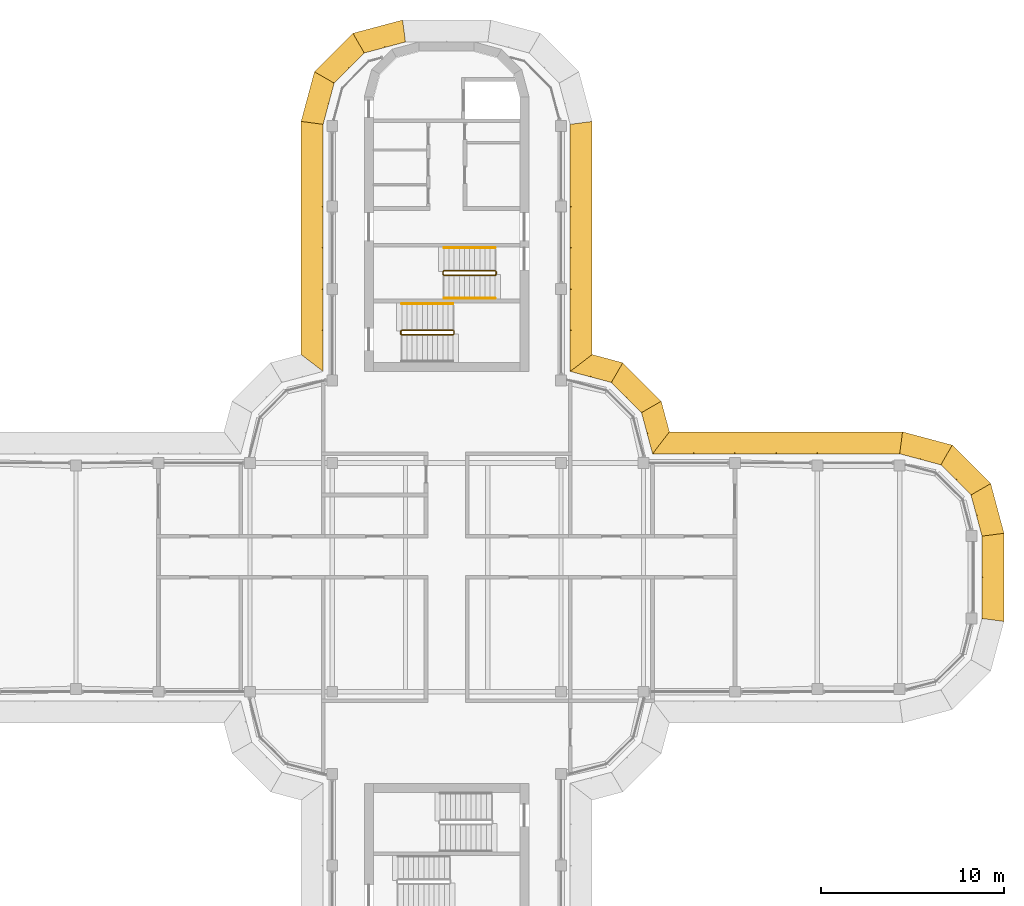
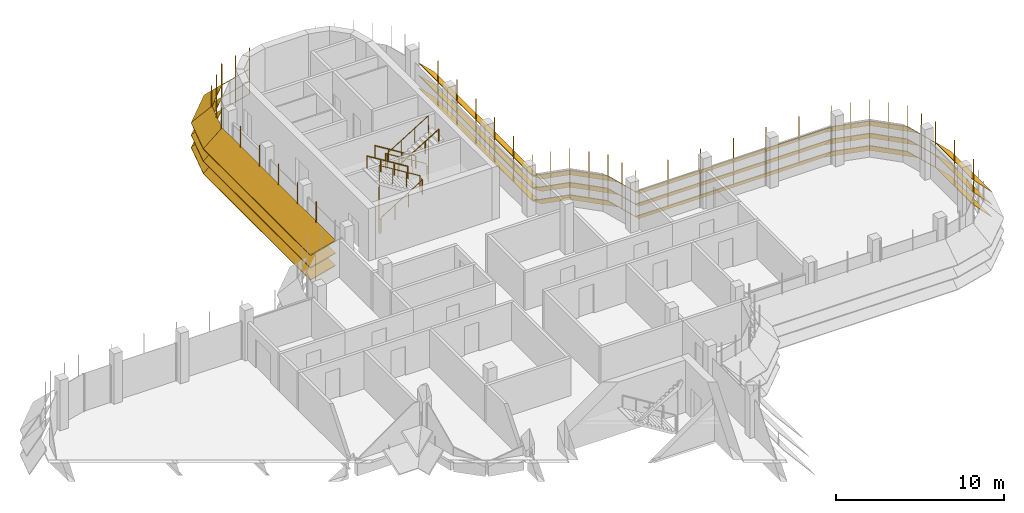
# One storey, part 18 of 19: 7 shading devices, 5 railings.
"""IFC4 building model written with IfcOpenShell, lengths in metres."""

from ifc_helpers import new_model, si_unit, direction, frame, origin, origin_2d, place, context, subcontext, project, spatial, polyline, circle, outline, extrude, faceted_brep, source, transform, mapped, material, type_object, element, save


model = new_model("IFC4")

# Units and contexts
model_context = context("Model", 3, precision=1e-05, world=origin(), true_north=direction((0.0, 1.0)))
body_context = subcontext(model_context, "Body", "Model", "MODEL_VIEW")
ifc_project = project(units=[si_unit("LENGTHUNIT", "METRE"), si_unit("AREAUNIT", "SQUARE_METRE"), si_unit("VOLUMEUNIT", "CUBIC_METRE"), si_unit("PLANEANGLEUNIT", "RADIAN"), si_unit("MASSUNIT", "GRAM", prefix="KILO")], contexts=[model_context])

# Site, building, storey
site_placement = place(None, origin())
site = spatial("IfcSite", under=ifc_project, at=site_placement, CompositionType="ELEMENT")
building_placement = place(site_placement, origin())
building = spatial("IfcBuilding", under=site, at=building_placement, Name="Zarbagh Exchange Tower", CompositionType="ELEMENT")
storey_placement = place(building_placement, frame((0.0, 0.0, 261.199951171875)))
storey = spatial("IfcBuildingStorey", under=building, at=storey_placement, Name="L64", CompositionType="ELEMENT", Elevation=261.199951171875)

# Railings
ifc_material_1 = material(Name="Stainless steel", Category="steel")
railing_type_1 = type_object("IfcRailingType", Name="Stair guard 1100 mm", PredefinedType="GUARDRAIL", material=ifc_material_1)
railing_1_placement = place(storey_placement, frame((2.64990234375, 16.75, 0.1728515625)))
element("IfcRailing", 1, at=railing_1_placement, inside=storey, type_object=railing_type_1, Name="ST1 stair guard 1", PredefinedType="GUARDRAIL", context=body_context, shape_type="SweptSolid", body=[
    extrude(circle(Radius=0.02392578125, at=origin_2d()), frame((0.0, 0.0, 1.076171875), z_axis=(-0.851069175582, 0.0, 0.525053576669), x_axis=(0.0, -1.0, 0.0)), (0.0, 0.0, 1.0), 3.289794921875),
    extrude(circle(Radius=0.02392578125, at=origin_2d()), frame((-2.7998046875, 0.0, 2.80322265625), z_axis=(-0.707106781187, -0.707106781187, 0.0), x_axis=(0.707106781187, -0.707106781187, 0.0)), (0.0, 0.0, 1.0), 0.07080078125),
    extrude(circle(Radius=0.02392578125, at=origin_2d()), frame((-2.849853515625, -0.050048828125, 2.80322265625), z_axis=(0.0, -1.0, 0.0), x_axis=(1.0, 0.0, 0.0)), (0.0, 0.0, 1.0), 0.14990234375),
    extrude(circle(Radius=0.02392578125, at=origin_2d()), frame((-2.849853515625, -0.199951171875, 2.80322265625), z_axis=(0.268277960024, -0.268277960024, 0.925231793839), x_axis=(0.707106781187, 0.707106781187, 0.0)), (0.0, 0.0, 1.0), 0.1865234375),
    extrude(circle(Radius=0.02392578125, at=origin_2d()), frame((-2.7998046875, -0.25, 2.97607421875), z_axis=(0.851069175582, 0.0, 0.525053576669), x_axis=(0.0, 1.0, 0.0)), (0.0, 0.0, 1.0), 3.289794921875),
    extrude(circle(Radius=0.02392578125, at=origin_2d()), frame((0.0, -0.25, 4.703125), z_axis=(0.013168290981, 0.013168290981, -0.999826581076), x_axis=(-0.707106781187, 0.707106781187, 0.0)), (0.0, 0.0, 1.0), 3.80078125),
    extrude(circle(Radius=0.02392578125, at=origin_2d()), frame((0.050048828125, -0.199951171875, 0.9033203125), z_axis=(0.0, 1.0, 0.0), x_axis=(-1.0, 0.0, 0.0)), (0.0, 0.0, 1.0), 0.14990234375),
    extrude(circle(Radius=0.02099609375, at=origin_2d()), origin(), (0.0, 0.0, 1.0), 1.052001953125),
    extrude(circle(Radius=0.02099609375, at=origin_2d()), frame((-0.933349609375, 0.0, 0.57568359375)), (0.0, 0.0, 1.0), 1.052001953125),
    extrude(circle(Radius=0.02099609375, at=origin_2d()), frame((-1.866455078125, 0.0, 1.151611328125)), (0.0, 0.0, 1.0), 1.052001953125),
    extrude(circle(Radius=0.02099609375, at=origin_2d()), frame((-2.7998046875, 0.0, 1.727294921875)), (0.0, 0.0, 1.0), 1.052001953125),
    extrude(circle(Radius=0.02099609375, at=origin_2d()), frame((-2.849853515625, -0.050048828125, 1.727294921875)), (0.0, 0.0, 1.0), 1.052001953125),
    extrude(circle(Radius=0.02099609375, at=origin_2d()), frame((-2.849853515625, -0.199951171875, 1.727294921875)), (0.0, 0.0, 1.0), 1.052001953125),
    extrude(circle(Radius=0.02099609375, at=origin_2d()), frame((-2.7998046875, -0.25, 1.89990234375)), (0.0, 0.0, 1.0), 1.052001953125),
    extrude(circle(Radius=0.02099609375, at=origin_2d()), frame((-1.866455078125, -0.25, 2.4755859375)), (0.0, 0.0, 1.0), 1.052001953125),
    extrude(circle(Radius=0.02099609375, at=origin_2d()), frame((-0.933349609375, -0.25, 3.051513671875)), (0.0, 0.0, 1.0), 1.052001953125),
    extrude(circle(Radius=0.02099609375, at=origin_2d()), frame((0.0, -0.25, 3.627197265625)), (0.0, 0.0, 1.0), 1.052001953125),
    extrude(circle(Radius=0.02099609375, at=origin_2d()), frame((0.012451171875, -0.237548828125, 2.67724609375)), (0.0, 0.0, 1.0), 1.052001953125),
    extrude(circle(Radius=0.02099609375, at=origin_2d()), frame((0.02490234375, -0.22509765625, 1.72705078125)), (0.0, 0.0, 1.0), 1.052001953125),
    extrude(circle(Radius=0.02099609375, at=origin_2d()), frame((0.03759765625, -0.21240234375, 0.777099609375)), (0.0, 0.0, 1.0), 1.052001953125),
    extrude(circle(Radius=0.02099609375, at=origin_2d()), frame((0.050048828125, -0.199951171875, -0.1728515625)), (0.0, 0.0, 1.0), 1.052001953125),
    extrude(circle(Radius=0.02099609375, at=origin_2d()), frame((0.050048828125, -0.050048828125, -0.1728515625)), (0.0, 0.0, 1.0), 1.052001953125),
])
railing_2_placement = place(storey_placement, frame((0.35009765625, 13.5, 2.07275390625)))
element("IfcRailing", 2, at=railing_2_placement, inside=storey, type_object=railing_type_1, Name="ST2 stair guard 1", PredefinedType="GUARDRAIL", context=body_context, shape_type="SweptSolid", body=[
    extrude(circle(Radius=0.02392578125, at=origin_2d()), frame((0.0, 0.0, 1.076171875), z_axis=(-0.851089632645, 0.0, 0.525020415988), x_axis=(0.0, -1.0, 0.0)), (0.0, 0.0, 1.0), 3.2900390625),
    extrude(circle(Radius=0.02392578125, at=origin_2d()), frame((-2.800048828125, 0.0, 2.80322265625), z_axis=(-0.013168290981, -0.013168290981, -0.999826581076), x_axis=(0.707106781187, -0.707106781187, 0.0)), (0.0, 0.0, 1.0), 3.80078125),
    extrude(circle(Radius=0.02392578125, at=origin_2d()), frame((-2.85009765625, -0.050048828125, -0.99658203125), z_axis=(0.0, -1.0, 0.0), x_axis=(1.0, 0.0, 0.0)), (0.0, 0.0, 1.0), 0.14990234375),
    extrude(circle(Radius=0.02392578125, at=origin_2d()), frame((-2.85009765625, -0.199951171875, -0.99658203125), z_axis=(0.267953482034, -0.267953482034, 0.925419830635), x_axis=(0.707106781187, 0.707106781187, 0.0)), (0.0, 0.0, 1.0), 0.186767578125),
    extrude(circle(Radius=0.02392578125, at=origin_2d()), frame((-2.800048828125, -0.25, -0.82373046875), z_axis=(0.851089632645, 0.0, 0.525020415988), x_axis=(0.0, 1.0, 0.0)), (0.0, 0.0, 1.0), 3.2900390625),
    extrude(circle(Radius=0.02392578125, at=origin_2d()), frame((0.0, -0.25, 0.9033203125), z_axis=(0.705375805398, 0.708833529934, 0.0), x_axis=(-0.708833529934, 0.705375805398, 0.0)), (0.0, 0.0, 1.0), 0.070556640625),
    extrude(circle(Radius=0.02392578125, at=origin_2d()), frame((0.0498046875, -0.199951171875, 0.9033203125), z_axis=(0.0, 1.0, 0.0), x_axis=(-1.0, 0.0, 0.0)), (0.0, 0.0, 1.0), 0.14990234375),
    extrude(circle(Radius=0.02099609375, at=origin_2d()), origin(), (0.0, 0.0, 1.0), 1.052001953125),
    extrude(circle(Radius=0.02099609375, at=origin_2d()), frame((-0.933349609375, 0.0, 0.57568359375)), (0.0, 0.0, 1.0), 1.052001953125),
    extrude(circle(Radius=0.02099609375, at=origin_2d()), frame((-1.86669921875, 0.0, 1.151611328125)), (0.0, 0.0, 1.0), 1.052001953125),
    extrude(circle(Radius=0.02099609375, at=origin_2d()), frame((-2.800048828125, 0.0, 1.727294921875)), (0.0, 0.0, 1.0), 1.052001953125),
    extrude(circle(Radius=0.02099609375, at=origin_2d()), frame((-2.8125, -0.012451171875, 0.77734375)), (0.0, 0.0, 1.0), 1.052001953125),
    extrude(circle(Radius=0.02099609375, at=origin_2d()), frame((-2.8251953125, -0.02490234375, -0.1728515625)), (0.0, 0.0, 1.0), 1.052001953125),
    extrude(circle(Radius=0.02099609375, at=origin_2d()), frame((-2.837646484375, -0.03759765625, -1.122802734375)), (0.0, 0.0, 1.0), 1.052001953125),
    extrude(circle(Radius=0.02099609375, at=origin_2d()), frame((-2.85009765625, -0.050048828125, -2.07275390625)), (0.0, 0.0, 1.0), 1.052001953125),
    extrude(circle(Radius=0.02099609375, at=origin_2d()), frame((-2.85009765625, -0.199951171875, -2.07275390625)), (0.0, 0.0, 1.0), 1.052001953125),
    extrude(circle(Radius=0.02099609375, at=origin_2d()), frame((-2.800048828125, -0.25, -1.89990234375)), (0.0, 0.0, 1.0), 1.052001953125),
    extrude(circle(Radius=0.02099609375, at=origin_2d()), frame((-1.86669921875, -0.25, -1.32421875)), (0.0, 0.0, 1.0), 1.052001953125),
    extrude(circle(Radius=0.02099609375, at=origin_2d()), frame((-0.933349609375, -0.25, -0.748291015625)), (0.0, 0.0, 1.0), 1.052001953125),
    extrude(circle(Radius=0.02099609375, at=origin_2d()), frame((0.0, -0.25, -0.172607421875)), (0.0, 0.0, 1.0), 1.052001953125),
    extrude(circle(Radius=0.02099609375, at=origin_2d()), frame((0.0498046875, -0.199951171875, -0.172607421875)), (0.0, 0.0, 1.0), 1.052001953125),
    extrude(circle(Radius=0.02099609375, at=origin_2d()), frame((0.0498046875, -0.050048828125, -0.172607421875)), (0.0, 0.0, 1.0), 1.052001953125),
])
railing_type_2 = type_object("IfcRailingType", Name="Stair handrail 900 mm", PredefinedType="HANDRAIL", material=ifc_material_1)
railing_3_placement = place(storey_placement, frame((2.64990234375, 18.0, 0.1728515625)))
element("IfcRailing", 3, at=railing_3_placement, inside=storey, type_object=railing_type_2, Name="ST1 stair handrail 1", PredefinedType="HANDRAIL", context=body_context, shape_type="SweptSolid", body=[
    extrude(circle(Radius=0.02392578125, at=origin_2d()), frame((0.0, 0.0, 0.8759765625), z_axis=(-0.851069175582, 0.0, 0.525053576669), x_axis=(0.0, -1.0, 0.0)), (0.0, 0.0, 1.0), 3.289794921875),
    extrude(circle(Radius=0.02099609375, at=origin_2d()), origin(), (0.0, 0.0, 1.0), 0.851806640625),
    extrude(circle(Radius=0.02099609375, at=origin_2d()), frame((-0.933349609375, 0.0, 0.57568359375)), (0.0, 0.0, 1.0), 0.851806640625),
    extrude(circle(Radius=0.02099609375, at=origin_2d()), frame((-1.866455078125, 0.0, 1.151611328125)), (0.0, 0.0, 1.0), 0.851806640625),
    extrude(circle(Radius=0.02099609375, at=origin_2d()), frame((-2.7998046875, 0.0, 1.727294921875)), (0.0, 0.0, 1.0), 0.851806640625),
])
railing_4_placement = place(storey_placement, frame((-0.14990234375, 15.25, 2.07275390625)))
element("IfcRailing", 4, at=railing_4_placement, inside=storey, type_object=railing_type_2, Name="ST1 stair handrail 2", PredefinedType="HANDRAIL", context=body_context, shape_type="SweptSolid", body=[
    extrude(circle(Radius=0.02392578125, at=origin_2d()), frame((0.0, 0.0, 0.8759765625), z_axis=(0.851069175582, 0.0, 0.525053576669), x_axis=(0.0, 1.0, 0.0)), (0.0, 0.0, 1.0), 3.289794921875),
    extrude(circle(Radius=0.02099609375, at=origin_2d()), origin(), (0.0, 0.0, 1.0), 0.851806640625),
    extrude(circle(Radius=0.02099609375, at=origin_2d()), frame((0.933349609375, 0.0, 0.57568359375)), (0.0, 0.0, 1.0), 0.851806640625),
    extrude(circle(Radius=0.02099609375, at=origin_2d()), frame((1.866455078125, 0.0, 1.151611328125)), (0.0, 0.0, 1.0), 0.851806640625),
    extrude(circle(Radius=0.02099609375, at=origin_2d()), frame((2.7998046875, 0.0, 1.727294921875)), (0.0, 0.0, 1.0), 0.851806640625),
])
railing_5_placement = place(storey_placement, frame((0.35009765625, 14.949951171875, 2.07275390625)))
element("IfcRailing", 5, at=railing_5_placement, inside=storey, type_object=railing_type_2, Name="ST2 stair handrail 2", PredefinedType="HANDRAIL", context=body_context, shape_type="SweptSolid", body=[
    extrude(circle(Radius=0.02392578125, at=origin_2d()), frame((0.0, 0.0, 0.8759765625), z_axis=(-0.851089632645, 0.0, 0.525020415988), x_axis=(0.0, -1.0, 0.0)), (0.0, 0.0, 1.0), 3.2900390625),
    extrude(circle(Radius=0.02099609375, at=origin_2d()), origin(), (0.0, 0.0, 1.0), 0.851806640625),
    extrude(circle(Radius=0.02099609375, at=origin_2d()), frame((-0.933349609375, 0.0, 0.57568359375)), (0.0, 0.0, 1.0), 0.851806640625),
    extrude(circle(Radius=0.02099609375, at=origin_2d()), frame((-1.86669921875, 0.0, 1.151611328125)), (0.0, 0.0, 1.0), 0.851806640625),
    extrude(circle(Radius=0.02099609375, at=origin_2d()), frame((-2.800048828125, 0.0, 1.727294921875)), (0.0, 0.0, 1.0), 0.851806640625),
])

# Shading devices
ifc_material_2 = material(Name="Anodised aluminium blades and brackets", Category="aluminium")
shading_device_type = type_object("IfcShadingDeviceType", Name="SUNSHADE louvre band, 45 degree blades", PredefinedType="JALOUSIE", material=ifc_material_2)
shared_shape_1 = source(origin(), body_context, "Body", "Brep", [
    faceted_brep([(0.0, 0.0, 0.0), (0.0, 0.0, -0.056640625), (-0.157958984375, -1.199951171875, -1.256591796875), (-0.157958984375, -1.199951171875, -1.199951171875), (2.65087890625, -1.199951171875, -1.199951171875), (2.65087890625, -1.199951171875, -1.256591796875), (2.329345703125, 0.0, -0.056640625), (2.329345703125, 0.0, 0.0)], [[[0, 1, 2, 3]], [[4, 5, 6, 7]], [[0, 7, 6, 1]], [[1, 6, 5, 2]], [[2, 5, 4, 3]], [[3, 4, 7, 0]]]),
])
shared_shape_2 = source(origin(), body_context, "Body", "Brep", [
    faceted_brep([(0.0, 0.0, 0.0), (0.0, 0.0, -0.056640625), (-0.321533203125, -1.199951171875, -1.256591796875), (-0.321533203125, -1.199951171875, -1.199951171875), (2.65087890625, -1.199951171875, -1.199951171875), (2.65087890625, -1.199951171875, -1.256591796875), (2.329345703125, 0.0, -0.056640625), (2.329345703125, 0.0, 0.0)], [[[0, 1, 2, 3]], [[4, 5, 6, 7]], [[0, 7, 6, 1]], [[1, 6, 5, 2]], [[2, 5, 4, 3]], [[3, 4, 7, 0]]]),
])
shared_shape_3 = source(origin(), body_context, "Body", "Brep", [
    faceted_brep([(0.0, 0.0, 0.0), (0.0, 0.0, -0.056640625), (-0.321533203125, -1.199951171875, -1.256591796875), (-0.321533203125, -1.199951171875, -1.199951171875), (2.4873046875, -1.199951171875, -1.199951171875), (2.4873046875, -1.199951171875, -1.256591796875), (2.329345703125, 0.0, -0.056640625), (2.329345703125, 0.0, 0.0)], [[[0, 1, 2, 3]], [[4, 5, 6, 7]], [[0, 7, 6, 1]], [[1, 6, 5, 2]], [[2, 5, 4, 3]], [[3, 4, 7, 0]]]),
])
shared_shape_4 = source(origin(), body_context, "Body", "SweptSolid", [
    extrude(outline(polyline([(0.0, -0.012451171875), (0.06005859375, -0.012451171875), (0.06005859375, 0.012451171875), (0.0, 0.012451171875), (0.0, -0.012451171875)])), origin(), (0.0, 0.0, 1.0), 3.366455078125),
])
placement = place(storey_placement, origin())
element("IfcShadingDevice", 6, at=placement, inside=storey, type_object=shading_device_type, Name="SS53 sunshade band", PredefinedType="JALOUSIE", context=body_context, shape_type="MappedRepresentation", body=[
    mapped(shared_shape_1, transform((29.25, 2.25, 2.300048828125), x_axis=(-0.258824779902, 0.965924289636, 0.0), y_axis=(-0.965924289636, -0.258824779902, 0.0), z_axis=(0.0, 0.0, 1.0))),
    mapped(shared_shape_1, transform((29.25, 2.25, 1.400146484375), x_axis=(-0.258824779902, 0.965924289636, 0.0), y_axis=(-0.965924289636, -0.258824779902, 0.0), z_axis=(0.0, 0.0, 1.0))),
    mapped(shared_shape_1, transform((29.25, 2.25, 0.5), x_axis=(-0.258824779902, 0.965924289636, 0.0), y_axis=(-0.965924289636, -0.258824779902, 0.0), z_axis=(0.0, 0.0, 1.0))),
    mapped(shared_shape_2, transform((28.647216796875, 4.5, 2.300048828125), x_axis=(-0.707106781187, 0.707106781187, 0.0), y_axis=(-0.707106781187, -0.707106781187, 0.0), z_axis=(0.0, 0.0, 1.0))),
    mapped(shared_shape_2, transform((28.647216796875, 4.5, 1.400146484375), x_axis=(-0.707106781187, 0.707106781187, 0.0), y_axis=(-0.707106781187, -0.707106781187, 0.0), z_axis=(0.0, 0.0, 1.0))),
    mapped(shared_shape_2, transform((28.647216796875, 4.5, 0.5), x_axis=(-0.707106781187, 0.707106781187, 0.0), y_axis=(-0.707106781187, -0.707106781187, 0.0), z_axis=(0.0, 0.0, 1.0))),
    mapped(shared_shape_3, transform((27.0, 6.147216796875, 2.300048828125), x_axis=(-0.965924289636, 0.258824779902, 0.0), y_axis=(-0.258824779902, -0.965924289636, 0.0), z_axis=(0.0, 0.0, 1.0))),
    mapped(shared_shape_3, transform((27.0, 6.147216796875, 1.400146484375), x_axis=(-0.965924289636, 0.258824779902, 0.0), y_axis=(-0.258824779902, -0.965924289636, 0.0), z_axis=(0.0, 0.0, 1.0))),
    mapped(shared_shape_3, transform((27.0, 6.147216796875, 0.5), x_axis=(-0.965924289636, 0.258824779902, 0.0), y_axis=(-0.258824779902, -0.965924289636, 0.0), z_axis=(0.0, 0.0, 1.0))),
    mapped(shared_shape_4, transform((29.25, 2.25, 0.41357421875), x_axis=(0.991444457092, 0.130529263012, 0.0), y_axis=(-0.130529263012, 0.991444457092, 0.0), z_axis=(0.0, 0.0, 1.0))),
    mapped(shared_shape_4, transform((28.948486328125, 3.375, 0.41357421875), x_axis=(0.96592421511, 0.258825058029, 0.0), y_axis=(-0.258825058029, 0.96592421511, 0.0), z_axis=(0.0, 0.0, 1.0))),
    mapped(shared_shape_4, transform((28.647216796875, 4.5, 0.41357421875), x_axis=(0.866023812018, 0.50000275701, 0.0), y_axis=(-0.50000275701, 0.866023812018, 0.0), z_axis=(0.0, 0.0, 1.0))),
    mapped(shared_shape_4, transform((27.823486328125, 5.323486328125, 0.41357421875), x_axis=(0.707106781187, 0.707106781187, 0.0), y_axis=(-0.707106781187, 0.707106781187, 0.0), z_axis=(0.0, 0.0, 1.0))),
    mapped(shared_shape_4, transform((27.0, 6.147216796875, 0.41357421875), x_axis=(0.50000275701, 0.866023812018, 0.0), y_axis=(-0.866023812018, 0.50000275701, 0.0), z_axis=(0.0, 0.0, 1.0))),
    mapped(shared_shape_4, transform((25.875, 6.448486328125, 0.41357421875), x_axis=(0.258825058029, 0.96592421511, 0.0), y_axis=(-0.96592421511, 0.258825058029, 0.0), z_axis=(0.0, 0.0, 1.0))),
])
element("IfcShadingDevice", 7, at=placement, inside=storey, type_object=shading_device_type, Name="SS48 sunshade band", PredefinedType="JALOUSIE", context=body_context, shape_type="MappedRepresentation", body=[
    mapped(shared_shape_1, transform((-2.25, 29.25, 2.300048828125), x_axis=(-0.965924289636, -0.258824779902, 0.0), y_axis=(0.258824779902, -0.965924289636, 0.0), z_axis=(0.0, 0.0, 1.0))),
    mapped(shared_shape_1, transform((-2.25, 29.25, 1.400146484375), x_axis=(-0.965924289636, -0.258824779902, 0.0), y_axis=(0.258824779902, -0.965924289636, 0.0), z_axis=(0.0, 0.0, 1.0))),
    mapped(shared_shape_1, transform((-2.25, 29.25, 0.5), x_axis=(-0.965924289636, -0.258824779902, 0.0), y_axis=(0.258824779902, -0.965924289636, 0.0), z_axis=(0.0, 0.0, 1.0))),
    mapped(shared_shape_2, transform((-4.5, 28.647216796875, 2.300048828125), x_axis=(-0.707106781187, -0.707106781187, 0.0), y_axis=(0.707106781187, -0.707106781187, 0.0), z_axis=(0.0, 0.0, 1.0))),
    mapped(shared_shape_2, transform((-4.5, 28.647216796875, 1.400146484375), x_axis=(-0.707106781187, -0.707106781187, 0.0), y_axis=(0.707106781187, -0.707106781187, 0.0), z_axis=(0.0, 0.0, 1.0))),
    mapped(shared_shape_2, transform((-4.5, 28.647216796875, 0.5), x_axis=(-0.707106781187, -0.707106781187, 0.0), y_axis=(0.707106781187, -0.707106781187, 0.0), z_axis=(0.0, 0.0, 1.0))),
    mapped(shared_shape_3, transform((-6.147216796875, 27.0, 2.300048828125), x_axis=(-0.258824779902, -0.965924289636, 0.0), y_axis=(0.965924289636, -0.258824779902, 0.0), z_axis=(0.0, 0.0, 1.0))),
    mapped(shared_shape_3, transform((-6.147216796875, 27.0, 1.400146484375), x_axis=(-0.258824779902, -0.965924289636, 0.0), y_axis=(0.965924289636, -0.258824779902, 0.0), z_axis=(0.0, 0.0, 1.0))),
    mapped(shared_shape_3, transform((-6.147216796875, 27.0, 0.5), x_axis=(-0.258824779902, -0.965924289636, 0.0), y_axis=(0.965924289636, -0.258824779902, 0.0), z_axis=(0.0, 0.0, 1.0))),
    mapped(shared_shape_4, transform((-2.25, 29.25, 0.41357421875), x_axis=(-0.130529263012, 0.991444457092, 0.0), y_axis=(-0.991444457092, -0.130529263012, 0.0), z_axis=(0.0, 0.0, 1.0))),
    mapped(shared_shape_4, transform((-3.375, 28.948486328125, 0.41357421875), x_axis=(-0.258825058029, 0.96592421511, 0.0), y_axis=(-0.96592421511, -0.258825058029, 0.0), z_axis=(0.0, 0.0, 1.0))),
    mapped(shared_shape_4, transform((-4.5, 28.647216796875, 0.41357421875), x_axis=(-0.50000275701, 0.866023812018, 0.0), y_axis=(-0.866023812018, -0.50000275701, 0.0), z_axis=(0.0, 0.0, 1.0))),
    mapped(shared_shape_4, transform((-5.323486328125, 27.823486328125, 0.41357421875), x_axis=(-0.707106781187, 0.707106781187, 0.0), y_axis=(-0.707106781187, -0.707106781187, 0.0), z_axis=(0.0, 0.0, 1.0))),
    mapped(shared_shape_4, transform((-6.147216796875, 27.0, 0.41357421875), x_axis=(-0.866023812018, 0.50000275701, 0.0), y_axis=(-0.50000275701, -0.866023812018, 0.0), z_axis=(0.0, 0.0, 1.0))),
    mapped(shared_shape_4, transform((-6.448486328125, 25.875, 0.41357421875), x_axis=(-0.96592421511, 0.258825058029, 0.0), y_axis=(-0.258825058029, -0.96592421511, 0.0), z_axis=(0.0, 0.0, 1.0))),
])
shared_shape_5 = source(origin(), body_context, "Body", "Brep", [
    faceted_brep([(0.0, 0.0, 0.0), (0.0, 0.0, -0.056640625), (0.9208984375, -1.199951171875, -1.256591796875), (0.9208984375, -1.199951171875, -1.199951171875), (2.65087890625, -1.199951171875, -1.199951171875), (2.65087890625, -1.199951171875, -1.256591796875), (2.329345703125, 0.0, -0.056640625), (2.329345703125, 0.0, 0.0)], [[[0, 1, 2, 3]], [[4, 5, 6, 7]], [[0, 7, 6, 1]], [[1, 6, 5, 2]], [[2, 5, 4, 3]], [[3, 4, 7, 0]]]),
])
shared_shape_6 = source(origin(), body_context, "Body", "Brep", [
    faceted_brep([(0.0, 0.0, 0.0), (0.0, 0.0, -0.056640625), (-0.321533203125, -1.199951171875, -1.256591796875), (-0.321533203125, -1.199951171875, -1.199951171875), (1.40869140625, -1.199951171875, -1.199951171875), (1.40869140625, -1.199951171875, -1.256591796875), (2.329345703125, 0.0, -0.056640625), (2.329345703125, 0.0, 0.0)], [[[0, 1, 2, 3]], [[4, 5, 6, 7]], [[0, 7, 6, 1]], [[1, 6, 5, 2]], [[2, 5, 4, 3]], [[3, 4, 7, 0]]]),
])
element("IfcShadingDevice", 8, at=placement, inside=storey, type_object=shading_device_type, Name="SS09 sunshade band", PredefinedType="JALOUSIE", context=body_context, shape_type="MappedRepresentation", body=[
    mapped(shared_shape_5, transform((11.25, 6.75, 2.300048828125), x_axis=(-0.258824779902, 0.965924289636, 0.0), y_axis=(-0.965924289636, -0.258824779902, 0.0), z_axis=(0.0, 0.0, 1.0))),
    mapped(shared_shape_5, transform((11.25, 6.75, 1.400146484375), x_axis=(-0.258824779902, 0.965924289636, 0.0), y_axis=(-0.965924289636, -0.258824779902, 0.0), z_axis=(0.0, 0.0, 1.0))),
    mapped(shared_shape_5, transform((11.25, 6.75, 0.5), x_axis=(-0.258824779902, 0.965924289636, 0.0), y_axis=(-0.965924289636, -0.258824779902, 0.0), z_axis=(0.0, 0.0, 1.0))),
    mapped(shared_shape_2, transform((10.647216796875, 9.0, 2.300048828125), x_axis=(-0.707106781187, 0.707106781187, 0.0), y_axis=(-0.707106781187, -0.707106781187, 0.0), z_axis=(0.0, 0.0, 1.0))),
    mapped(shared_shape_2, transform((10.647216796875, 9.0, 1.400146484375), x_axis=(-0.707106781187, 0.707106781187, 0.0), y_axis=(-0.707106781187, -0.707106781187, 0.0), z_axis=(0.0, 0.0, 1.0))),
    mapped(shared_shape_2, transform((10.647216796875, 9.0, 0.5), x_axis=(-0.707106781187, 0.707106781187, 0.0), y_axis=(-0.707106781187, -0.707106781187, 0.0), z_axis=(0.0, 0.0, 1.0))),
    mapped(shared_shape_6, transform((9.0, 10.647216796875, 2.300048828125), x_axis=(-0.965924289636, 0.258824779902, 0.0), y_axis=(-0.258824779902, -0.965924289636, 0.0), z_axis=(0.0, 0.0, 1.0))),
    mapped(shared_shape_6, transform((9.0, 10.647216796875, 1.400146484375), x_axis=(-0.965924289636, 0.258824779902, 0.0), y_axis=(-0.258824779902, -0.965924289636, 0.0), z_axis=(0.0, 0.0, 1.0))),
    mapped(shared_shape_6, transform((9.0, 10.647216796875, 0.5), x_axis=(-0.965924289636, 0.258824779902, 0.0), y_axis=(-0.258824779902, -0.965924289636, 0.0), z_axis=(0.0, 0.0, 1.0))),
    mapped(shared_shape_4, transform((11.25, 6.75, 0.41357421875), x_axis=(0.608758892, 0.793355287, 0.0), y_axis=(-0.793355287, 0.608758892, 0.0), z_axis=(0.0, 0.0, 1.0))),
    mapped(shared_shape_4, transform((10.948486328125, 7.875, 0.41357421875), x_axis=(0.96592421511, 0.258825058029, 0.0), y_axis=(-0.258825058029, 0.96592421511, 0.0), z_axis=(0.0, 0.0, 1.0))),
    mapped(shared_shape_4, transform((10.647216796875, 9.0, 0.41357421875), x_axis=(0.866023812018, 0.50000275701, 0.0), y_axis=(-0.50000275701, 0.866023812018, 0.0), z_axis=(0.0, 0.0, 1.0))),
    mapped(shared_shape_4, transform((9.823486328125, 9.823486328125, 0.41357421875), x_axis=(0.707106781187, 0.707106781187, 0.0), y_axis=(-0.707106781187, 0.707106781187, 0.0), z_axis=(0.0, 0.0, 1.0))),
    mapped(shared_shape_4, transform((9.0, 10.647216796875, 0.41357421875), x_axis=(0.50000275701, 0.866023812018, 0.0), y_axis=(-0.866023812018, 0.50000275701, 0.0), z_axis=(0.0, 0.0, 1.0))),
    mapped(shared_shape_4, transform((7.875, 10.948486328125, 0.41357421875), x_axis=(0.258825058029, 0.96592421511, 0.0), y_axis=(-0.96592421511, 0.258825058029, 0.0), z_axis=(0.0, 0.0, 1.0))),
])
shared_shape_7 = source(origin(), body_context, "Body", "Brep", [
    faceted_brep([(0.0, 0.0, 0.0), (0.0, 0.0, -0.056640625), (-0.157958984375, -1.199951171875, -1.256591796875), (-0.157958984375, -1.199951171875, -1.199951171875), (4.657958984375, -1.199951171875, -1.199951171875), (4.657958984375, -1.199951171875, -1.256591796875), (4.5, 0.0, -0.056640625), (4.5, 0.0, 0.0)], [[[0, 1, 2, 3]], [[4, 5, 6, 7]], [[0, 7, 6, 1]], [[1, 6, 5, 2]], [[2, 5, 4, 3]], [[3, 4, 7, 0]]]),
])
element("IfcShadingDevice", 9, at=placement, inside=storey, type_object=shading_device_type, Name="SS52 sunshade band", PredefinedType="JALOUSIE", context=body_context, shape_type="MappedRepresentation", body=[
    mapped(shared_shape_7, transform((29.25, -2.25, 2.300048828125), x_axis=(0.0, 1.0, 0.0), y_axis=(-1.0, 0.0, 0.0), z_axis=(0.0, 0.0, 1.0))),
    mapped(shared_shape_7, transform((29.25, -2.25, 1.400146484375), x_axis=(0.0, 1.0, 0.0), y_axis=(-1.0, 0.0, 0.0), z_axis=(0.0, 0.0, 1.0))),
    mapped(shared_shape_7, transform((29.25, -2.25, 0.5), x_axis=(0.0, 1.0, 0.0), y_axis=(-1.0, 0.0, 0.0), z_axis=(0.0, 0.0, 1.0))),
    mapped(shared_shape_4, transform((29.25, -2.25, 0.41357421875), x_axis=(0.991444457092, -0.130529263012, 0.0), y_axis=(0.130529263012, 0.991444457092, 0.0), z_axis=(0.0, 0.0, 1.0))),
    mapped(shared_shape_4, transform((29.25, 0.0, 0.41357421875), x_axis=(1.0, 0.0, 0.0), y_axis=(0.0, 1.0, 0.0), z_axis=(0.0, 0.0, 1.0))),
])
shared_shape_8 = source(origin(), body_context, "Body", "Brep", [
    faceted_brep([(0.0, 0.0, 0.0), (0.0, 0.0, -0.056640625), (-0.157958984375, -1.199951171875, -1.256591796875), (-0.157958984375, -1.199951171875, -1.199951171875), (12.5791015625, -1.199951171875, -1.199951171875), (12.5791015625, -1.199951171875, -1.256591796875), (13.5, 0.0, -0.056640625), (13.5, 0.0, 0.0)], [[[0, 1, 2, 3]], [[4, 5, 6, 7]], [[0, 7, 6, 1]], [[1, 6, 5, 2]], [[2, 5, 4, 3]], [[3, 4, 7, 0]]]),
])
element("IfcShadingDevice", 10, at=placement, inside=storey, type_object=shading_device_type, Name="SS54 sunshade band", PredefinedType="JALOUSIE", context=body_context, shape_type="MappedRepresentation", body=[
    mapped(shared_shape_8, transform((24.75, 6.75, 2.300048828125), x_axis=(-1.0, 0.0, 0.0), y_axis=(0.0, -1.0, 0.0), z_axis=(0.0, 0.0, 1.0))),
    mapped(shared_shape_8, transform((24.75, 6.75, 1.400146484375), x_axis=(-1.0, 0.0, 0.0), y_axis=(0.0, -1.0, 0.0), z_axis=(0.0, 0.0, 1.0))),
    mapped(shared_shape_8, transform((24.75, 6.75, 0.5), x_axis=(-1.0, 0.0, 0.0), y_axis=(0.0, -1.0, 0.0), z_axis=(0.0, 0.0, 1.0))),
    mapped(shared_shape_4, transform((24.75, 6.75, 0.41357421875), x_axis=(0.130529263012, 0.991444457092, 0.0), y_axis=(-0.991444457092, 0.130529263012, 0.0), z_axis=(0.0, 0.0, 1.0))),
    mapped(shared_shape_4, transform((22.5, 6.75, 0.41357421875), x_axis=(0.0, 1.0, 0.0), y_axis=(-1.0, 0.0, 0.0), z_axis=(0.0, 0.0, 1.0))),
    mapped(shared_shape_4, transform((20.25, 6.75, 0.41357421875), x_axis=(0.0, 1.0, 0.0), y_axis=(-1.0, 0.0, 0.0), z_axis=(0.0, 0.0, 1.0))),
    mapped(shared_shape_4, transform((18.0, 6.75, 0.41357421875), x_axis=(0.0, 1.0, 0.0), y_axis=(-1.0, 0.0, 0.0), z_axis=(0.0, 0.0, 1.0))),
    mapped(shared_shape_4, transform((15.75, 6.75, 0.41357421875), x_axis=(0.0, 1.0, 0.0), y_axis=(-1.0, 0.0, 0.0), z_axis=(0.0, 0.0, 1.0))),
    mapped(shared_shape_4, transform((13.5, 6.75, 0.41357421875), x_axis=(0.0, 1.0, 0.0), y_axis=(-1.0, 0.0, 0.0), z_axis=(0.0, 0.0, 1.0))),
])
shared_shape_9 = source(origin(), body_context, "Body", "Brep", [
    faceted_brep([(0.0, 0.0, 0.0), (0.0, 0.0, -0.056640625), (0.9208984375, -1.199951171875, -1.256591796875), (0.9208984375, -1.199951171875, -1.199951171875), (13.657958984375, -1.199951171875, -1.199951171875), (13.657958984375, -1.199951171875, -1.256591796875), (13.5, 0.0, -0.056640625), (13.5, 0.0, 0.0)], [[[0, 1, 2, 3]], [[4, 5, 6, 7]], [[0, 7, 6, 1]], [[1, 6, 5, 2]], [[2, 5, 4, 3]], [[3, 4, 7, 0]]]),
])
element("IfcShadingDevice", 11, at=placement, inside=storey, type_object=shading_device_type, Name="SS45 sunshade band", PredefinedType="JALOUSIE", context=body_context, shape_type="MappedRepresentation", body=[
    mapped(shared_shape_9, transform((6.75, 11.25, 2.300048828125), x_axis=(0.0, 1.0, 0.0), y_axis=(-1.0, 0.0, 0.0), z_axis=(0.0, 0.0, 1.0))),
    mapped(shared_shape_9, transform((6.75, 11.25, 1.400146484375), x_axis=(0.0, 1.0, 0.0), y_axis=(-1.0, 0.0, 0.0), z_axis=(0.0, 0.0, 1.0))),
    mapped(shared_shape_9, transform((6.75, 11.25, 0.5), x_axis=(0.0, 1.0, 0.0), y_axis=(-1.0, 0.0, 0.0), z_axis=(0.0, 0.0, 1.0))),
    mapped(shared_shape_4, transform((6.75, 11.25, 0.41357421875), x_axis=(0.793355287, 0.608758892, 0.0), y_axis=(-0.608758892, 0.793355287, 0.0), z_axis=(0.0, 0.0, 1.0))),
    mapped(shared_shape_4, transform((6.75, 13.5, 0.41357421875), x_axis=(1.0, 0.0, 0.0), y_axis=(0.0, 1.0, 0.0), z_axis=(0.0, 0.0, 1.0))),
    mapped(shared_shape_4, transform((6.75, 15.75, 0.41357421875), x_axis=(1.0, 0.0, 0.0), y_axis=(0.0, 1.0, 0.0), z_axis=(0.0, 0.0, 1.0))),
    mapped(shared_shape_4, transform((6.75, 18.0, 0.41357421875), x_axis=(1.0, 0.0, 0.0), y_axis=(0.0, 1.0, 0.0), z_axis=(0.0, 0.0, 1.0))),
    mapped(shared_shape_4, transform((6.75, 20.25, 0.41357421875), x_axis=(1.0, 0.0, 0.0), y_axis=(0.0, 1.0, 0.0), z_axis=(0.0, 0.0, 1.0))),
    mapped(shared_shape_4, transform((6.75, 22.5, 0.41357421875), x_axis=(1.0, 0.0, 0.0), y_axis=(0.0, 1.0, 0.0), z_axis=(0.0, 0.0, 1.0))),
])
element("IfcShadingDevice", 12, at=placement, inside=storey, type_object=shading_device_type, Name="SS49 sunshade band", PredefinedType="JALOUSIE", context=body_context, shape_type="MappedRepresentation", body=[
    mapped(shared_shape_8, transform((-6.75, 24.75, 2.300048828125), x_axis=(0.0, -1.0, 0.0), y_axis=(1.0, 0.0, 0.0), z_axis=(0.0, 0.0, 1.0))),
    mapped(shared_shape_8, transform((-6.75, 24.75, 1.400146484375), x_axis=(0.0, -1.0, 0.0), y_axis=(1.0, 0.0, 0.0), z_axis=(0.0, 0.0, 1.0))),
    mapped(shared_shape_8, transform((-6.75, 24.75, 0.5), x_axis=(0.0, -1.0, 0.0), y_axis=(1.0, 0.0, 0.0), z_axis=(0.0, 0.0, 1.0))),
    mapped(shared_shape_4, transform((-6.75, 24.75, 0.41357421875), x_axis=(-0.991444457092, 0.130529263012, 0.0), y_axis=(-0.130529263012, -0.991444457092, 0.0), z_axis=(0.0, 0.0, 1.0))),
    mapped(shared_shape_4, transform((-6.75, 22.5, 0.41357421875), x_axis=(-1.0, 0.0, 0.0), y_axis=(0.0, -1.0, 0.0), z_axis=(0.0, 0.0, 1.0))),
    mapped(shared_shape_4, transform((-6.75, 20.25, 0.41357421875), x_axis=(-1.0, 0.0, 0.0), y_axis=(0.0, -1.0, 0.0), z_axis=(0.0, 0.0, 1.0))),
    mapped(shared_shape_4, transform((-6.75, 18.0, 0.41357421875), x_axis=(-1.0, 0.0, 0.0), y_axis=(0.0, -1.0, 0.0), z_axis=(0.0, 0.0, 1.0))),
    mapped(shared_shape_4, transform((-6.75, 15.75, 0.41357421875), x_axis=(-1.0, 0.0, 0.0), y_axis=(0.0, -1.0, 0.0), z_axis=(0.0, 0.0, 1.0))),
    mapped(shared_shape_4, transform((-6.75, 13.5, 0.41357421875), x_axis=(-1.0, 0.0, 0.0), y_axis=(0.0, -1.0, 0.0), z_axis=(0.0, 0.0, 1.0))),
])

save(model, "model.ifc")
